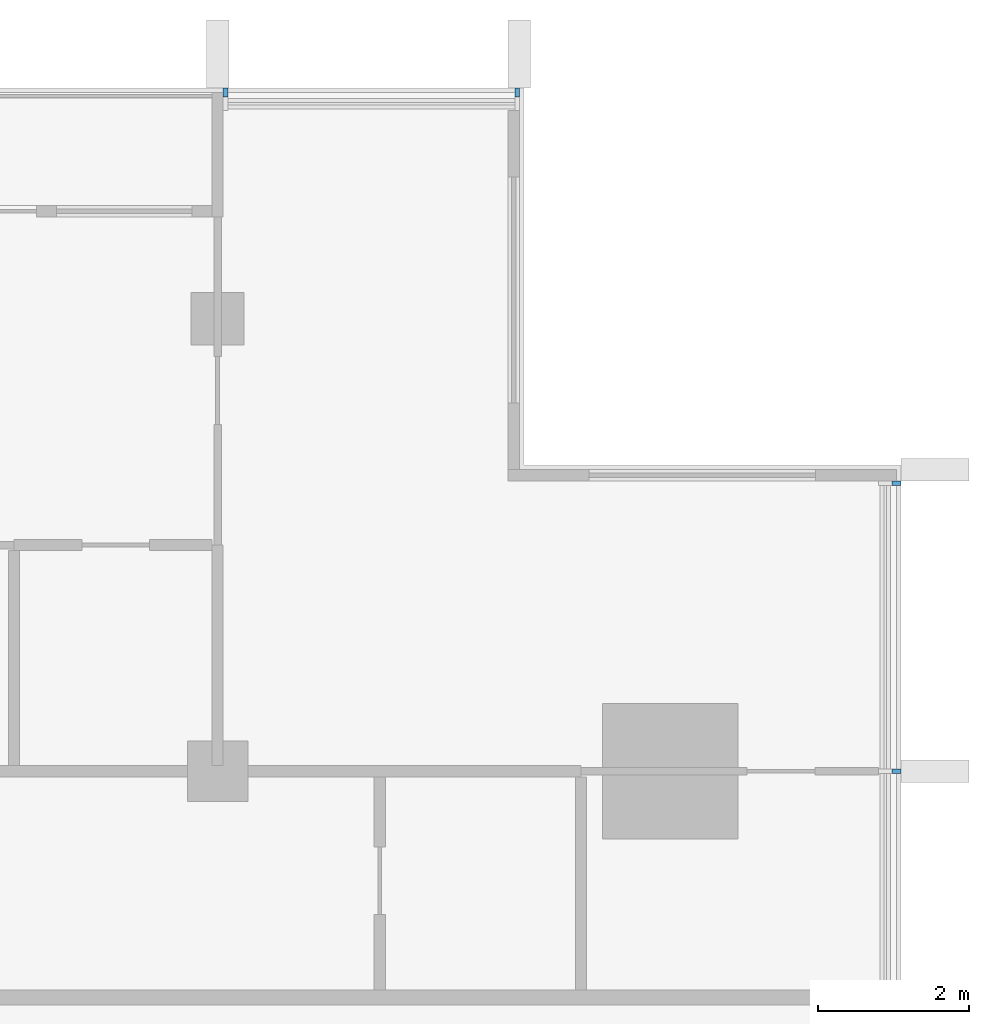
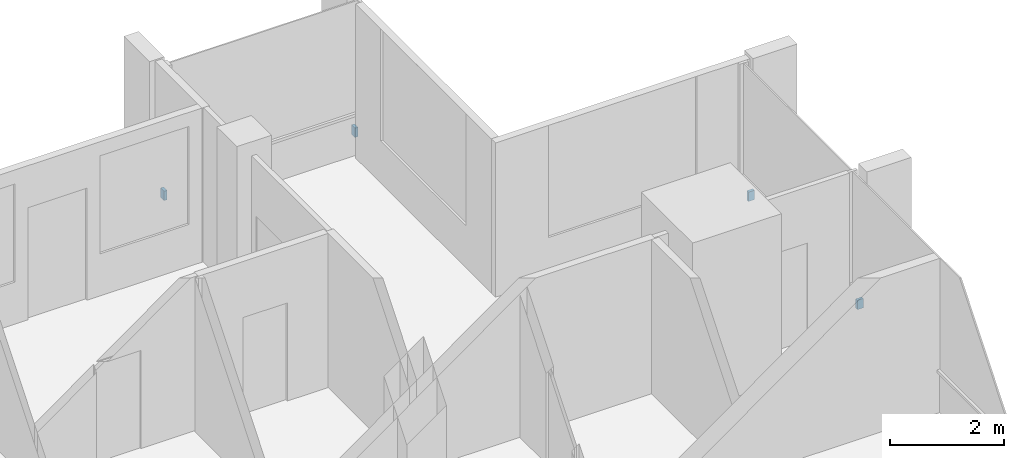
# One storey, part 15 of 16: 4 discrete accessories.
"""IFC4 building model written with IfcOpenShell, lengths in metres."""

from ifc_helpers import new_model, si_unit, direction, frame, origin, origin_2d, place, context, subcontext, project, spatial, rectangle, extrude, material, type_object, element, save


model = new_model("IFC4")

# Units and contexts
model_context = context("Model", 3, precision=1e-05, world=origin(), true_north=direction((0.0, 1.0)))
body_context = subcontext(model_context, "Body", "Model", "MODEL_VIEW")
ifc_project = project(units=[si_unit("LENGTHUNIT", "METRE"), si_unit("AREAUNIT", "SQUARE_METRE"), si_unit("VOLUMEUNIT", "CUBIC_METRE"), si_unit("PLANEANGLEUNIT", "RADIAN"), si_unit("MASSUNIT", "GRAM", prefix="KILO")], contexts=[model_context])

# Site, building, storey
site_placement = place(None, origin())
site = spatial("IfcSite", under=ifc_project, at=site_placement, CompositionType="ELEMENT")
building_placement = place(site_placement, origin())
building = spatial("IfcBuilding", under=site, at=building_placement, Name="Finial Court Residences", CompositionType="ELEMENT")
storey_placement = place(building_placement, frame((0.0, 0.0, 262.699951171875)))
storey = spatial("IfcBuildingStorey", under=building, at=storey_placement, Name="L66", CompositionType="ELEMENT", Elevation=262.699951171875)

# Discrete accessories
ifc_material = material(Name="Stainless steel 316", Category="steel")
discrete_accessory_type = type_object("IfcDiscreteAccessoryType", Name="Fin bracket, stainless steel 60 x 122 x 200", PredefinedType="BRACKET", material=ifc_material)
for number, where, z_axis, x_axis, name in (
    (1, (10.60498046875, 16.498779296875, 0.30029296875), (0.0, 0.0, 1.0), (1.0, 0.0, 0.0), "E-L66-FIN-N5-BRK"),
    (2, (14.469970703125, 16.498779296875, 0.30029296875), (0.0, 0.0, 1.0), (1.0, 0.0, 0.0), "E-L66-FIN-N6-BRK"),
):
    element("IfcDiscreteAccessory", number, at=place(storey_placement, frame(where, z_axis=z_axis, x_axis=x_axis)), inside=storey, type_object=discrete_accessory_type, Name=name, PredefinedType="BRACKET", context=body_context, shape_type="SweptSolid", body=[
        extrude(rectangle(XDim=0.06005859375, YDim=0.12255859375, at=origin_2d()), origin(), (0.0, 0.0, 1.0), 0.199951171875),
    ])
for number, where, z_axis, x_axis, name in (
    (3, (19.498779296875, 7.5, 0.30029296875), (0.0, 0.0, 1.0), (1.0, 0.0, 0.0), "E-L66-FIN-E11-BRK"),
    (4, (19.498779296875, 11.320068359375, 0.30029296875), (0.0, 0.0, 1.0), (1.0, 0.0, 0.0), "E-L66-FIN-E12-BRK"),
):
    element("IfcDiscreteAccessory", number, at=place(storey_placement, frame(where, z_axis=z_axis, x_axis=x_axis)), inside=storey, type_object=discrete_accessory_type, Name=name, PredefinedType="BRACKET", context=body_context, shape_type="SweptSolid", body=[
        extrude(rectangle(XDim=0.12255859375, YDim=0.06005859375, at=origin_2d()), origin(), (0.0, 0.0, 1.0), 0.199951171875),
    ])

save(model, "model.ifc")
